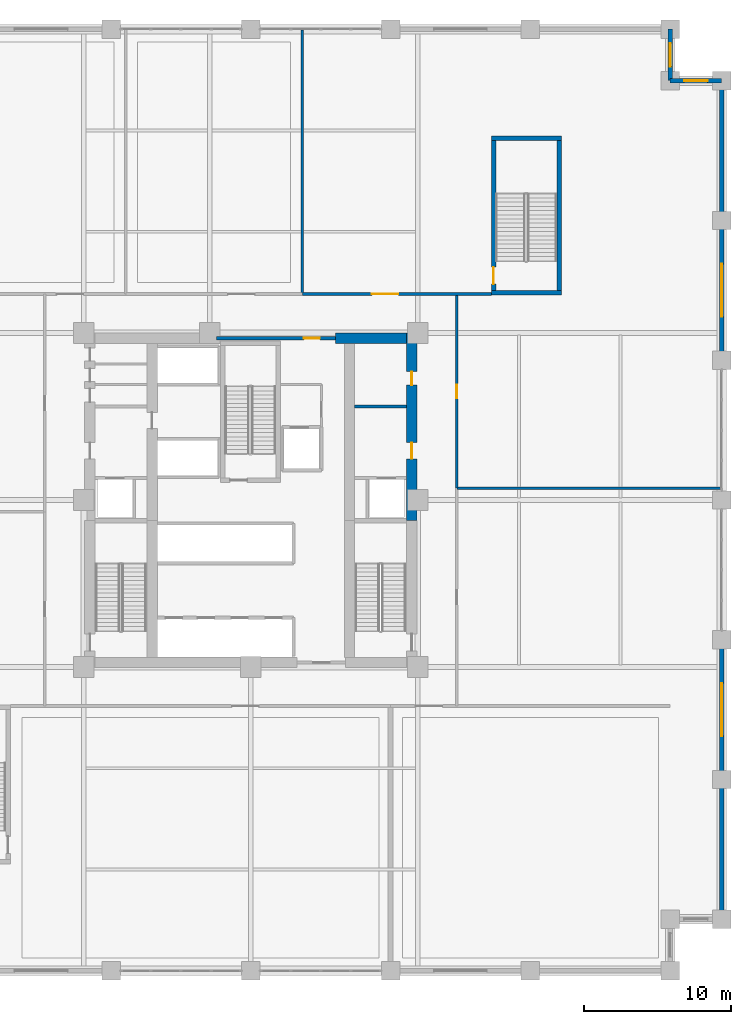
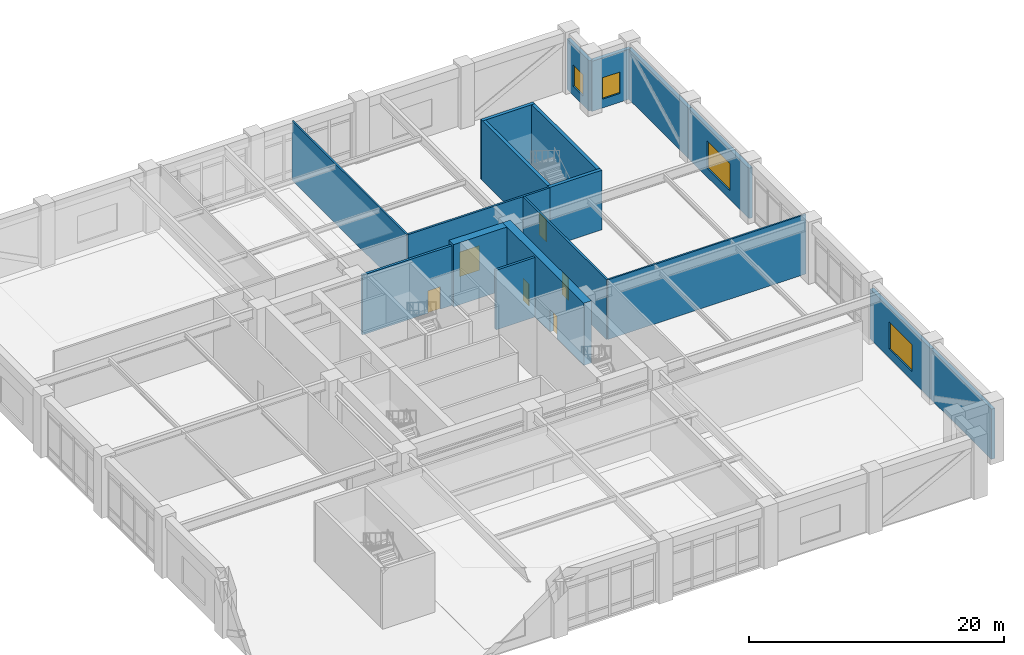
# One storey, part 14 of 21: 18 walls, 6 doors, 4 windows, 10 openings.
"""IFC4 building model written with IfcOpenShell, lengths in metres."""

import ifcopenshell
import ifcopenshell.guid

model = None  # the IFC model being written
_history = None  # IfcOwnerHistory: only IFC2X3 demands one
_inside = {}  # id of a spatial element -> (the spatial element, [elements in it])
_under = {}  # id of a project, library or spatial element -> (it, [spatial elements below it])
_declared = {}  # id of a project -> (the project, [libraries it declares])
_typed = {}  # id of a type object -> (the type object, [elements of that type])
_made_of = {}  # id of a material, layer set ... -> (it, [elements and type objects made of it])


def new_model(schema):
    """Start an empty IFC model of exactly this schema.

    Asked for "IFC4X3", IfcOpenShell would pick the latest addendum, in which some entities
    have other attributes; the version numbers below select the first issue.
    IFC2X3 requires an IfcOwnerHistory on every rooted entity: one is made here for all.
    """
    global model, _history
    if schema == "IFC4X3":
        model = ifcopenshell.file(schema_version=(4, 3, 0, 0))
    else:
        model = ifcopenshell.file(schema=schema)
    _inside.clear()
    _under.clear()
    _declared.clear()
    _typed.clear()
    _made_of.clear()
    _history = None
    if model.schema == "IFC2X3":
        org = make("IfcOrganization", Name="unknown")
        user = make(
            "IfcPersonAndOrganization",
            ThePerson=make("IfcPerson", FamilyName="unknown"),
            TheOrganization=org,
        )
        app = make(
            "IfcApplication",
            ApplicationDeveloper=org,
            Version="unknown",
            ApplicationFullName="unknown",
            ApplicationIdentifier="unknown",
        )
        _history = make(
            "IfcOwnerHistory",
            OwningUser=user,
            OwningApplication=app,
            ChangeAction="ADDED",
            CreationDate=0,
        )
    return model


def make(cls, **values):
    """One entity of the class cls with the attributes given. An attribute that is None is left unset."""
    return model.create_entity(
        cls, **{name: value for name, value in values.items() if value is not None}
    )


def rooted(cls, **values):
    """An entity with a GlobalId (a new one), such as an element, a storey or a relation."""
    return make(cls, GlobalId=ifcopenshell.guid.new(), OwnerHistory=_history, **values)


def si_unit(unit_type, name, prefix=None):
    """IfcSIUnit, for example si_unit("LENGTHUNIT", "METRE", prefix="MILLI")."""
    return make("IfcSIUnit", UnitType=unit_type, Prefix=prefix, Name=name)


def assignment(units):
    """IfcUnitAssignment: the units of a project."""
    return None if units is None else make("IfcUnitAssignment", Units=units)


def point(xyz):
    """IfcCartesianPoint."""
    return None if xyz is None else make("IfcCartesianPoint", Coordinates=xyz)


def direction(xyz):
    """IfcDirection."""
    return None if xyz is None else make("IfcDirection", DirectionRatios=xyz)


def frame(location, z_axis=None, x_axis=None):
    """IfcAxis2Placement3D, a coordinate frame: its origin and axes. An axis left out is left unset."""
    return make(
        "IfcAxis2Placement3D",
        Location=point(location),
        Axis=direction(z_axis),
        RefDirection=direction(x_axis),
    )


def frame_2d(location, x_axis=None):
    """IfcAxis2Placement2D, a coordinate frame in the plane: its origin and x axis."""
    return make(
        "IfcAxis2Placement2D", Location=point(location), RefDirection=direction(x_axis)
    )


def origin():
    """The frame at (0, 0, 0) with its axes left unset."""
    return frame((0.0, 0.0, 0.0))


def place(relative_to, where):
    """IfcLocalPlacement: puts the frame where relative to a parent placement (None: the world)."""
    return make(
        "IfcLocalPlacement", PlacementRelTo=relative_to, RelativePlacement=where
    )


def context(
    kind, dimensions, precision=None, world=None, true_north=None, identifier=None
):
    """IfcGeometricRepresentationContext, for example the 3D "Model" context."""
    return make(
        "IfcGeometricRepresentationContext",
        ContextIdentifier=identifier,
        ContextType=kind,
        CoordinateSpaceDimension=dimensions,
        Precision=precision,
        WorldCoordinateSystem=world,
        TrueNorth=true_north,
    )


def subcontext(parent, identifier, kind, view, scale=None):
    """IfcGeometricRepresentationSubContext, for example "Body" below "Model"."""
    return make(
        "IfcGeometricRepresentationSubContext",
        ContextIdentifier=identifier,
        ContextType=kind,
        ParentContext=parent,
        TargetScale=scale,
        TargetView=view,
    )


def project(units=None, contexts=None):
    """IfcProject with its units and contexts."""
    return rooted(
        "IfcProject",
        Name="project",
        RepresentationContexts=contexts,
        UnitsInContext=assignment(units),
    )


def spatial(cls, under=None, at=None, **own):
    """A site, building, storey or space (cls), placed at a placement, below another one or the project."""
    s = rooted(cls, ObjectPlacement=at, **own)
    if under is not None:
        _under.setdefault(under.id(), (under, []))[1].append(s)
    return s


def profile(cls, at=None, kind="AREA", **sizes):
    """A parametric profile (cls). Its sizes go by their IFC names, for example OverallWidth=200.0."""
    return make(cls, ProfileType=kind, Position=at, **sizes)


def rectangle(**sizes):
    """IfcRectangleProfileDef."""
    return profile("IfcRectangleProfileDef", **sizes)


def extrude(swept, where, along, depth):
    """IfcExtrudedAreaSolid: the profile swept, set in the frame where, extruded along a direction by depth."""
    return make(
        "IfcExtrudedAreaSolid",
        SweptArea=swept,
        Position=where,
        ExtrudedDirection=direction(along),
        Depth=depth,
    )


def shape(context_of_items, identifier, shape_type, items):
    """IfcShapeRepresentation: the items that make up one representation, for example the "Body"."""
    return make(
        "IfcShapeRepresentation",
        ContextOfItems=context_of_items,
        RepresentationIdentifier=identifier,
        RepresentationType=shape_type,
        Items=items,
    )


def material(Name=None, Category=None):
    """IfcMaterial."""
    return make("IfcMaterial", Name=Name, Category=Category)


def layer(
    of_material, thickness, ventilated=None, Name=None, Category=None, Priority=None
):
    """IfcMaterialLayer: one layer of a wall or slab, of a material (None: an air gap)."""
    return make(
        "IfcMaterialLayer",
        Material=of_material,
        LayerThickness=thickness,
        IsVentilated=ventilated,
        Name=Name,
        Category=Category,
        Priority=Priority,
    )


def layer_set(layers, Name=None):
    """IfcMaterialLayerSet."""
    return make("IfcMaterialLayerSet", MaterialLayers=layers, LayerSetName=Name)


def made_of(thing, what):
    """Note that an element or type object is made of a material, layer set ...; save() writes the relation."""
    if what is not None:
        _made_of.setdefault(what.id(), (what, []))[1].append(thing)
    return thing


def type_object(cls, material=None, **own):
    """A type object (cls), such as IfcWallType, which elements share."""
    return made_of(rooted(cls, **own), material)


def element(
    cls,
    number,
    at=None,
    inside=None,
    cuts=None,
    type_object=None,
    material=None,
    context=None,
    identifier="Body",
    shape_type=None,
    held_by="IfcProductDefinitionShape",
    body=None,
    shapes=None,
    **own,
):
    """One element of the class cls, such as IfcWall. Its Tag is "e" and its number.

    at: its placement. inside: the storey or other place that contains it. cuts: it is an
    opening in that element (IfcRelVoidsElement). A single representation is given by context,
    identifier, shape_type and body (its items); several are given by shapes. held_by: the class
    of the entity that holds the representations. save() writes the other relations.
    """
    e = rooted(cls, Tag="e%d" % number, ObjectPlacement=at, **own)
    if body is not None:
        shapes = [shape(context, identifier, shape_type, body)]
    if shapes is not None:
        e.Representation = make(held_by, Representations=shapes)
    if inside is not None:
        _inside.setdefault(inside.id(), (inside, []))[1].append(e)
    if cuts is not None:
        rooted(
            "IfcRelVoidsElement", RelatingBuildingElement=cuts, RelatedOpeningElement=e
        )
    if type_object is not None:
        _typed.setdefault(type_object.id(), (type_object, []))[1].append(e)
    return made_of(e, material)


def fill(opening, filler):
    """IfcRelFillsElement: the door or window that sits in an opening."""
    return rooted(
        "IfcRelFillsElement",
        RelatingOpeningElement=opening,
        RelatedBuildingElement=filler,
    )


def aggregate(whole, parts):
    """IfcRelAggregates: a whole, such as a stair, and the parts it consists of."""
    return rooted("IfcRelAggregates", RelatingObject=whole, RelatedObjects=parts)


def save(model, path):
    """Write the relations noted so far, then the file.

    IfcRelAggregates (storeys below a building ...), IfcRelContainedInSpatialStructure (elements
    in a storey), IfcRelDefinesByType, IfcRelAssociatesMaterial and IfcRelDeclares: one each for
    every whole, place, type object, material and project.
    """
    for whole, parts in _under.values():
        aggregate(whole, parts)
    for where, things in _inside.values():
        rooted(
            "IfcRelContainedInSpatialStructure",
            RelatedElements=things,
            RelatingStructure=where,
        )
    for kind, things in _typed.values():
        rooted("IfcRelDefinesByType", RelatedObjects=things, RelatingType=kind)
    for what, things in _made_of.values():
        rooted("IfcRelAssociatesMaterial", RelatedObjects=things, RelatingMaterial=what)
    for by, libraries in _declared.values():
        rooted("IfcRelDeclares", RelatingContext=by, RelatedDefinitions=libraries)
    model.write(path)


model = new_model("IFC4")

# Units and contexts
model_context = context("Model", 3, precision=1e-05, world=origin(), true_north=direction((0.0, 1.0)))
body_context = subcontext(model_context, "Body", "Model", "MODEL_VIEW")
ifc_project = project(units=[si_unit("LENGTHUNIT", "METRE"), si_unit("AREAUNIT", "SQUARE_METRE"), si_unit("VOLUMEUNIT", "CUBIC_METRE"), si_unit("PLANEANGLEUNIT", "RADIAN"), si_unit("MASSUNIT", "GRAM", prefix="KILO")], contexts=[model_context])

# Site, building, storey
site_placement = place(None, origin())
site = spatial("IfcSite", under=ifc_project, at=site_placement, CompositionType="ELEMENT")
building_placement = place(site_placement, origin())
building = spatial("IfcBuilding", under=site, at=building_placement, Name="Nhamokura Convention Tower", CompositionType="ELEMENT")
storey_placement = place(building_placement, frame((0.0, 0.0, 17.85009765625)))
storey = spatial("IfcBuildingStorey", under=building, at=storey_placement, Name="L03", CompositionType="ELEMENT", Elevation=17.85009765625)

# Wall
ifc_material_1 = material(Name="Bronze-pigmented precast concrete C45/55", Category="concrete")
ifc_layer_1 = layer(ifc_material_1, 0.320068359375)
ifc_layer_set_1 = layer_set([ifc_layer_1], Name="BronzePrecastSpandrel_320")
wall_type_1 = type_object("IfcWallType", Name="BronzePrecastSpandrel_320", PredefinedType="USERDEFINED", material=ifc_layer_set_1)
wall_1_placement = place(storey_placement, frame((64.0, 13.0, 0.0), z_axis=(0.0, 0.0, 1.0), x_axis=(0.0, -1.0, 0.0)))
element("IfcWall", 1, at=wall_1_placement, inside=storey, type_object=wall_type_1, Name="L03 Braced-Bay Precast Wall EAST 0", ObjectType="SPANDREL_WALL", PredefinedType="USERDEFINED", context=body_context, shape_type="SweptSolid", body=[
    extrude(rectangle(XDim=9.5, YDim=0.320068359375, at=frame_2d((4.75, 0.0))), origin(), (0.0, 0.0, 1.0), 4.809814453125),
])

# Wall, opening, window
wall_2_placement = place(storey_placement, frame((64.0, 22.5, 0.0), z_axis=(0.0, 0.0, 1.0), x_axis=(0.0, -1.0, 0.0)))
wall_2 = element("IfcWall", 2, at=wall_2_placement, inside=storey, type_object=wall_type_1, Name="L03 Masonry-Frame Wall EAST 1", ObjectType="SPANDREL_WALL", PredefinedType="USERDEFINED", context=body_context, shape_type="SweptSolid", body=[
    extrude(rectangle(XDim=9.5, YDim=0.320068359375, at=frame_2d((4.75, 0.0))), origin(), (0.0, 0.0, 1.0), 4.809814453125),
])
opening_1_placement = place(wall_2_placement, frame((2.949951171875, 0.0, 0.85009765625)))
opening_1 = element("IfcOpeningElement", 3, at=opening_1_placement, cuts=wall_2, Name="Opening W-01", PredefinedType="OPENING", context=body_context, shape_type="SweptSolid", body=[
    extrude(rectangle(XDim=3.60009765625, YDim=2.60009765625, at=frame_2d((1.800048828125, 1.300048828125))), frame((0.0, 0.169921875, 0.0), z_axis=(0.0, -1.0, 0.0), x_axis=(1.0, 0.0, 0.0)), (0.0, 0.0, 1.0), 0.340087890625),
])
ifc_material_2 = material(Name="Solar-control bronze low-E double glass", Category="glass")
window_type_1 = type_object("IfcWindowType", Name="PodiumClerestoryWindow_3600", PartitioningType="TRIPLE_PANEL_VERTICAL", PredefinedType="WINDOW", material=ifc_material_2)
window_1_placement = place(opening_1_placement, origin())
window_1 = element("IfcWindow", 4, at=window_1_placement, inside=storey, type_object=window_type_1, Name="L03 Facade Window EAST 1", OverallHeight=2.60009765625, OverallWidth=3.60009765625, PartitioningType="SINGLE_PANEL", PredefinedType="WINDOW", context=body_context, shape_type="SweptSolid", body=[
    extrude(rectangle(XDim=3.60009765625, YDim=2.60009765625, at=frame_2d((1.800048828125, 1.300048828125))), frame((0.0, 0.030029296875, 0.0), z_axis=(0.0, -1.0, 0.0), x_axis=(1.0, 0.0, 0.0)), (0.0, 0.0, 1.0), 0.06005859375),
])
fill(opening_1, window_1)

wall_3_placement = place(storey_placement, frame((64.0, 51.0, 0.0), z_axis=(0.0, 0.0, 1.0), x_axis=(0.0, -1.0, 0.0)))
wall_3 = element("IfcWall", 5, at=wall_3_placement, inside=storey, type_object=wall_type_1, Name="L03 Masonry-Frame Wall EAST 4", ObjectType="SPANDREL_WALL", PredefinedType="USERDEFINED", context=body_context, shape_type="SweptSolid", body=[
    extrude(rectangle(XDim=9.5, YDim=0.320068359375, at=frame_2d((4.75, 0.0))), origin(), (0.0, 0.0, 1.0), 4.809814453125),
])
opening_2_placement = place(wall_3_placement, frame((2.949951171875, 0.0, 0.85009765625)))
opening_2 = element("IfcOpeningElement", 6, at=opening_2_placement, cuts=wall_3, Name="Opening W-01", PredefinedType="OPENING", context=body_context, shape_type="SweptSolid", body=[
    extrude(rectangle(XDim=3.60009765625, YDim=2.60009765625, at=frame_2d((1.800048828125, 1.300048828125))), frame((0.0, 0.169921875, 0.0), z_axis=(0.0, -1.0, 0.0), x_axis=(1.0, 0.0, 0.0)), (0.0, 0.0, 1.0), 0.340087890625),
])
window_2_placement = place(opening_2_placement, origin())
window_2 = element("IfcWindow", 7, at=window_2_placement, inside=storey, type_object=window_type_1, Name="L03 Facade Window EAST 4", OverallHeight=2.60009765625, OverallWidth=3.60009765625, PartitioningType="SINGLE_PANEL", PredefinedType="WINDOW", context=body_context, shape_type="SweptSolid", body=[
    extrude(rectangle(XDim=3.60009765625, YDim=2.60009765625, at=frame_2d((1.800048828125, 1.300048828125))), frame((0.0, 0.030029296875, 0.0), z_axis=(0.0, -1.0, 0.0), x_axis=(1.0, 0.0, 0.0)), (0.0, 0.0, 1.0), 0.06005859375),
])
fill(opening_2, window_2)

# Wall
wall_4_placement = place(storey_placement, frame((64.0, 60.5, 0.0), z_axis=(0.0, 0.0, 1.0), x_axis=(0.0, -1.0, 0.0)))
element("IfcWall", 8, at=wall_4_placement, inside=storey, type_object=wall_type_1, Name="L03 Braced-Bay Precast Wall EAST 5", ObjectType="SPANDREL_WALL", PredefinedType="USERDEFINED", context=body_context, shape_type="SweptSolid", body=[
    extrude(rectangle(XDim=9.5, YDim=0.320068359375, at=frame_2d((4.75, 0.0))), origin(), (0.0, 0.0, 1.0), 4.809814453125),
])

# Wall, opening, window
wall_5_placement = place(storey_placement, frame((60.5, 60.5, 0.0), z_axis=(0.0, 0.0, 1.0), x_axis=(1.0, 0.0, 0.0)))
wall_5 = element("IfcWall", 9, at=wall_5_placement, inside=storey, type_object=wall_type_1, Name="L03 Notched Corner Wall NE1", ObjectType="SPANDREL_WALL", PredefinedType="USERDEFINED", context=body_context, shape_type="SweptSolid", body=[
    extrude(rectangle(XDim=3.5, YDim=0.320068359375, at=frame_2d((1.75, 0.0))), origin(), (0.0, 0.0, 1.0), 4.809814453125),
])
opening_3_placement = place(wall_5_placement, frame((0.949951171875, 0.0, 0.85009765625)))
opening_3 = element("IfcOpeningElement", 10, at=opening_3_placement, cuts=wall_5, Name="Opening W-11", PredefinedType="OPENING", context=body_context, shape_type="SweptSolid", body=[
    extrude(rectangle(XDim=1.60009765625, YDim=2.050048828125, at=frame_2d((0.800048828125, 1.02490234375))), frame((0.0, 0.169921875, 0.0), z_axis=(0.0, -1.0, 0.0), x_axis=(1.0, 0.0, 0.0)), (0.0, 0.0, 1.0), 0.340087890625),
])
ifc_material_3 = material(Name="Solar-control bronze low-E double glass", Category="glass")
window_type_2 = type_object("IfcWindowType", Name="NotchCornerWindow_1600", PartitioningType="SINGLE_PANEL", PredefinedType="WINDOW", material=ifc_material_3)
window_3_placement = place(opening_3_placement, origin())
window_3 = element("IfcWindow", 11, at=window_3_placement, inside=storey, type_object=window_type_2, Name="L03 Notched Corner Window NE1", OverallHeight=2.050048828125, OverallWidth=1.60009765625, PartitioningType="SINGLE_PANEL", PredefinedType="WINDOW", context=body_context, shape_type="SweptSolid", body=[
    extrude(rectangle(XDim=1.60009765625, YDim=2.050048828125, at=frame_2d((0.800048828125, 1.02490234375))), frame((0.0, 0.030029296875, 0.0), z_axis=(0.0, -1.0, 0.0), x_axis=(1.0, 0.0, 0.0)), (0.0, 0.0, 1.0), 0.06005859375),
])
fill(opening_3, window_3)

wall_6_placement = place(storey_placement, frame((60.5, 64.0, 0.0), z_axis=(0.0, 0.0, 1.0), x_axis=(0.0, -1.0, 0.0)))
wall_6 = element("IfcWall", 12, at=wall_6_placement, inside=storey, type_object=wall_type_1, Name="L03 Notched Corner Wall NE2", ObjectType="SPANDREL_WALL", PredefinedType="USERDEFINED", context=body_context, shape_type="SweptSolid", body=[
    extrude(rectangle(XDim=3.5, YDim=0.320068359375, at=frame_2d((1.75, 0.0))), origin(), (0.0, 0.0, 1.0), 4.809814453125),
])
opening_4_placement = place(wall_6_placement, frame((0.949951171875, 0.0, 0.85009765625)))
opening_4 = element("IfcOpeningElement", 13, at=opening_4_placement, cuts=wall_6, Name="Opening W-11", PredefinedType="OPENING", context=body_context, shape_type="SweptSolid", body=[
    extrude(rectangle(XDim=1.60009765625, YDim=2.050048828125, at=frame_2d((0.800048828125, 1.02490234375))), frame((0.0, 0.169921875, 0.0), z_axis=(0.0, -1.0, 0.0), x_axis=(1.0, 0.0, 0.0)), (0.0, 0.0, 1.0), 0.340087890625),
])
window_4_placement = place(opening_4_placement, origin())
window_4 = element("IfcWindow", 14, at=window_4_placement, inside=storey, type_object=window_type_2, Name="L03 Notched Corner Window NE2", OverallHeight=2.050048828125, OverallWidth=1.60009765625, PartitioningType="SINGLE_PANEL", PredefinedType="WINDOW", context=body_context, shape_type="SweptSolid", body=[
    extrude(rectangle(XDim=1.60009765625, YDim=2.050048828125, at=frame_2d((0.800048828125, 1.02490234375))), frame((0.0, 0.030029296875, 0.0), z_axis=(0.0, -1.0, 0.0), x_axis=(1.0, 0.0, 0.0)), (0.0, 0.0, 1.0), 0.06005859375),
])
fill(opening_4, window_4)

# Wall, openings, doors
ifc_material_4 = material(Name="Concrete C70/85", Category="concrete")
ifc_layer_2 = layer(ifc_material_4, 0.699951171875)
ifc_layer_set_2 = layer_set([ifc_layer_2], Name="CoreShearWall_700")
wall_type_2 = type_object("IfcWallType", Name="CoreShearWall_700", PredefinedType="SHEAR", material=ifc_layer_set_2)
wall_7_placement = place(storey_placement, frame((42.93994140625, 30.60009765625, 0.0), z_axis=(0.0, 0.0, 1.0), x_axis=(0.0, 1.0, 0.0)))
wall_7 = element("IfcWall", 15, at=wall_7_placement, inside=storey, type_object=wall_type_2, Name="L03 Core Shear Wall CW-EN", PredefinedType="SHEAR", context=body_context, shape_type="SweptSolid", body=[
    extrude(rectangle(XDim=12.75, YDim=0.699951171875, at=frame_2d((6.375, 0.0))), origin(), (0.0, 0.0, 1.0), 5.949951171875),
])
opening_5_placement = place(wall_7_placement, frame((4.199951171875, 0.0, 0.0)))
opening_5 = element("IfcOpeningElement", 16, at=opening_5_placement, cuts=wall_7, Name="Opening D-05", PredefinedType="OPENING", context=body_context, shape_type="SweptSolid", body=[
    extrude(rectangle(XDim=1.10009765625, YDim=2.14990234375, at=frame_2d((0.550048828125, 1.074951171875))), frame((0.0, 0.35986328125, 0.0), z_axis=(0.0, -1.0, 0.0), x_axis=(1.0, 0.0, 0.0)), (0.0, 0.0, 1.0), 0.719970703125),
])
opening_6_placement = place(wall_7_placement, frame((9.199951171875, 0.0, 0.0)))
opening_6 = element("IfcOpeningElement", 17, at=opening_6_placement, cuts=wall_7, Name="Opening D-10", PredefinedType="OPENING", context=body_context, shape_type="SweptSolid", body=[
    extrude(rectangle(XDim=0.919921875, YDim=2.10009765625, at=frame_2d((0.4599609375, 1.050048828125))), frame((0.0, 0.35986328125, 0.0), z_axis=(0.0, -1.0, 0.0), x_axis=(1.0, 0.0, 0.0)), (0.0, 0.0, 1.0), 0.719970703125),
])
ifc_material_5 = material(Name="Solid oak hardwood", Category="wood")
door_type_1 = type_object("IfcDoorType", Name="AccessibleWCDoor_920", OperationType="NOTDEFINED", PredefinedType="DOOR", material=ifc_material_5)
door_1_placement = place(opening_6_placement, origin())
door_1 = element("IfcDoor", 18, at=door_1_placement, inside=storey, type_object=door_type_1, Name="L03 Core Door INT-L03-D-UWC", OperationType="SINGLE_SWING_RIGHT", OverallHeight=2.10009765625, OverallWidth=0.919921875, PredefinedType="DOOR", context=body_context, shape_type="SweptSolid", body=[
    extrude(rectangle(XDim=0.919921875, YDim=2.10009765625, at=frame_2d((0.4599609375, 1.050048828125))), frame((0.0, 0.02490234375, 0.0), z_axis=(0.0, -1.0, 0.0), x_axis=(1.0, 0.0, 0.0)), (0.0, 0.0, 1.0), 0.050048828125),
])
fill(opening_6, door_1)
ifc_material_6 = material(Name="Fire-rated steel door", Category="steel")
door_type_2 = type_object("IfcDoorType", Name="FireLobbyDoor_1100", OperationType="NOTDEFINED", PredefinedType="DOOR", material=ifc_material_6)
door_2_placement = place(opening_5_placement, origin())
door_2 = element("IfcDoor", 19, at=door_2_placement, inside=storey, type_object=door_type_2, Name="L03 Core Door INT-L03-D-FFLE", OperationType="SINGLE_SWING_LEFT", OverallHeight=2.14990234375, OverallWidth=1.10009765625, PredefinedType="DOOR", context=body_context, shape_type="SweptSolid", body=[
    extrude(rectangle(XDim=1.10009765625, YDim=2.14990234375, at=frame_2d((0.550048828125, 1.074951171875))), frame((0.0, 0.02490234375, 0.0), z_axis=(0.0, -1.0, 0.0), x_axis=(1.0, 0.0, 0.0)), (0.0, 0.0, 1.0), 0.050048828125),
])
fill(opening_5, door_2)

# Wall
wall_8_placement = place(storey_placement, frame((37.75, 43.0, 0.0), z_axis=(0.0, 0.0, 1.0), x_axis=(1.0, 0.0, 0.0)))
element("IfcWall", 20, at=wall_8_placement, inside=storey, type_object=wall_type_2, Name="L03 Core Shear Wall CW-N2", PredefinedType="SHEAR", context=body_context, shape_type="SweptSolid", body=[
    extrude(rectangle(XDim=4.840087890625, YDim=0.699951171875, at=frame_2d((2.419921875, 0.0))), origin(), (0.0, 0.0, 1.0), 5.949951171875),
])

# Wall, opening, door
ifc_material_7 = material(Name="Fire-rated gypsum and masonry partition", Category="masonry")
ifc_layer_3 = layer(ifc_material_7, 0.179931640625)
ifc_layer_set_3 = layer_set([ifc_layer_3], Name="CorridorRatedWall_180")
wall_type_3 = type_object("IfcWallType", Name="CorridorRatedWall_180", PredefinedType="STANDARD", material=ifc_layer_set_3)
wall_9_placement = place(storey_placement, frame((35.5, 46.0, 0.0), z_axis=(0.0, 0.0, 1.0), x_axis=(1.0, 0.0, 0.0)))
wall_9 = element("IfcWall", 21, at=wall_9_placement, inside=storey, type_object=wall_type_3, Name="L03 Wall INT-L03-CW-N02", PredefinedType="STANDARD", context=body_context, shape_type="SweptSolid", body=[
    extrude(rectangle(XDim=12.85009765625, YDim=0.179931640625, at=frame_2d((6.425048828125, 0.0))), origin(), (0.0, 0.0, 1.0), 5.7099609375),
])
opening_7_placement = place(wall_9_placement, frame((4.72509765625, 0.0, 0.0)))
opening_7 = element("IfcOpeningElement", 22, at=opening_7_placement, cuts=wall_9, Name="Opening D-03", PredefinedType="OPENING", context=body_context, shape_type="SweptSolid", body=[
    extrude(rectangle(XDim=1.800048828125, YDim=2.35009765625, at=frame_2d((0.89990234375, 1.175048828125))), frame((0.0, 0.099853515625, 0.0), z_axis=(0.0, -1.0, 0.0), x_axis=(1.0, 0.0, 0.0)), (0.0, 0.0, 1.0), 0.199951171875),
])
ifc_material_8 = material(Name="Solid oak hardwood", Category="wood")
door_type_3 = type_object("IfcDoorType", Name="BallroomDoubleDoor_1800", OperationType="DOUBLE_DOOR_SINGLE_SWING", PredefinedType="DOOR", material=ifc_material_8)
door_3_placement = place(opening_7_placement, origin())
door_3 = element("IfcDoor", 23, at=door_3_placement, inside=storey, type_object=door_type_3, Name="L03 VIP Speaker Lounge N03 Door", OperationType="SINGLE_SWING_LEFT", OverallHeight=2.35009765625, OverallWidth=1.800048828125, PredefinedType="DOOR", context=body_context, shape_type="SweptSolid", body=[
    extrude(rectangle(XDim=1.800048828125, YDim=2.35009765625, at=frame_2d((0.89990234375, 1.175048828125))), frame((0.0, 0.02490234375, 0.0), z_axis=(0.0, -1.0, 0.0), x_axis=(1.0, 0.0, 0.0)), (0.0, 0.0, 1.0), 0.050048828125),
])
fill(opening_7, door_3)

wall_10_placement = place(storey_placement, frame((46.0, 32.800048828125, 0.0), z_axis=(0.0, 0.0, 1.0), x_axis=(0.0, 1.0, 0.0)))
wall_10 = element("IfcWall", 24, at=wall_10_placement, inside=storey, type_object=wall_type_3, Name="L03 Wall INT-L03-CW-E01", PredefinedType="STANDARD", context=body_context, shape_type="SweptSolid", body=[
    extrude(rectangle(XDim=13.199951171875, YDim=0.179931640625, at=frame_2d((6.60009765625, 0.0))), origin(), (0.0, 0.0, 1.0), 5.7099609375),
])
opening_8_placement = place(wall_10_placement, frame((6.10009765625, 0.0, 0.0)))
opening_8 = element("IfcOpeningElement", 25, at=opening_8_placement, cuts=wall_10, Name="Opening D-09", PredefinedType="OPENING", context=body_context, shape_type="SweptSolid", body=[
    extrude(rectangle(XDim=0.949951171875, YDim=2.14990234375, at=frame_2d((0.47509765625, 1.074951171875))), frame((0.0, 0.099853515625, 0.0), z_axis=(0.0, -1.0, 0.0), x_axis=(1.0, 0.0, 0.0)), (0.0, 0.0, 1.0), 0.199951171875),
])
ifc_material_9 = material(Name="Solid oak hardwood", Category="wood")
door_type_4 = type_object("IfcDoorType", Name="MeetingRoomDoor_950", OperationType="NOTDEFINED", PredefinedType="DOOR", material=ifc_material_9)
door_4_placement = place(opening_8_placement, origin())
door_4 = element("IfcDoor", 26, at=door_4_placement, inside=storey, type_object=door_type_4, Name="L03 Private Office E02 Door", OperationType="SINGLE_SWING_RIGHT", OverallHeight=2.14990234375, OverallWidth=0.949951171875, PredefinedType="DOOR", context=body_context, shape_type="SweptSolid", body=[
    extrude(rectangle(XDim=0.949951171875, YDim=2.14990234375, at=frame_2d((0.47509765625, 1.074951171875))), frame((0.0, 0.02490234375, 0.0), z_axis=(0.0, -1.0, 0.0), x_axis=(1.0, 0.0, 0.0)), (0.0, 0.0, 1.0), 0.050048828125),
])
fill(opening_8, door_4)

# Wall
ifc_material_10 = material(Name="Autoclaved concrete blockwork", Category="masonry")
ifc_layer_4 = layer(ifc_material_10, 0.219970703125)
ifc_layer_set_4 = layer_set([ifc_layer_4], Name="FireLobbyWall_220")
wall_type_4 = type_object("IfcWallType", Name="FireLobbyWall_220", PredefinedType="STANDARD", material=ifc_layer_set_4)
wall_11_placement = place(storey_placement, frame((39.06005859375, 38.35009765625, 0.0), z_axis=(0.0, 0.0, 1.0), x_axis=(1.0, 0.0, 0.0)))
element("IfcWall", 27, at=wall_11_placement, inside=storey, type_object=wall_type_4, Name="L03 Wall INT-L03-FFE-N", PredefinedType="STANDARD", context=body_context, shape_type="SweptSolid", body=[
    extrude(rectangle(XDim=3.530029296875, YDim=0.219970703125, at=frame_2d((1.76513671875, 0.0))), origin(), (0.0, 0.0, 1.0), 5.7099609375),
])

# Wall, opening, door
wall_12_placement = place(storey_placement, frame((29.64990234375, 43.0, 0.0), z_axis=(0.0, 0.0, 1.0), x_axis=(1.0, 0.0, 0.0)))
wall_12 = element("IfcWall", 28, at=wall_12_placement, inside=storey, type_object=wall_type_4, Name="L03 Wall INT-L03-CPORT-N", PredefinedType="STANDARD", context=body_context, shape_type="SweptSolid", body=[
    extrude(rectangle(XDim=8.10009765625, YDim=0.219970703125, at=frame_2d((4.050048828125, 0.0))), origin(), (0.0, 0.0, 1.0), 5.7099609375),
])
opening_9_placement = place(wall_12_placement, frame((5.949951171875, 0.0, 0.0)))
opening_9 = element("IfcOpeningElement", 29, at=opening_9_placement, cuts=wall_12, Name="Opening D-05", PredefinedType="OPENING", context=body_context, shape_type="SweptSolid", body=[
    extrude(rectangle(XDim=1.10009765625, YDim=2.14990234375, at=frame_2d((0.550048828125, 1.074951171875))), frame((0.0, 0.119873046875, 0.0), z_axis=(0.0, -1.0, 0.0), x_axis=(1.0, 0.0, 0.0)), (0.0, 0.0, 1.0), 0.239990234375),
])
door_5_placement = place(opening_9_placement, origin())
door_5 = element("IfcDoor", 30, at=door_5_placement, inside=storey, type_object=door_type_2, Name="L03 North Core Lobby Portal Door", OperationType="SINGLE_SWING_RIGHT", OverallHeight=2.14990234375, OverallWidth=1.10009765625, PredefinedType="DOOR", context=body_context, shape_type="SweptSolid", body=[
    extrude(rectangle(XDim=1.10009765625, YDim=2.14990234375, at=frame_2d((0.550048828125, 1.074951171875))), frame((0.0, 0.02490234375, 0.0), z_axis=(0.0, -1.0, 0.0), x_axis=(1.0, 0.0, 0.0)), (0.0, 0.0, 1.0), 0.050048828125),
])
fill(opening_9, door_5)

# Walls
ifc_material_11 = material(Name="Acoustic gypsum stud partition", Category="masonry")
ifc_layer_5 = layer(ifc_material_11, 0.14990234375)
ifc_layer_set_5 = layer_set([ifc_layer_5], Name="InteriorPartition_150")
wall_type_5 = type_object("IfcWallType", Name="InteriorPartition_150", PredefinedType="STANDARD", material=ifc_layer_set_5)
for number, where, z_axis, x_axis, name in (
    (31, (35.5, 46.0, 0.0), (0.0, 0.0, 1.0), (0.0, 1.0, 0.0), "L03 Wall INT-L03-RW-N02"),
    (32, (46.0, 32.800048828125, 0.0), (0.0, 0.0, 1.0), (1.0, 0.0, 0.0), "L03 Wall INT-L03-RW-E01"),
):
    element("IfcWall", number, at=place(storey_placement, frame(where, z_axis=z_axis, x_axis=x_axis)), inside=storey, type_object=wall_type_5, Name=name, PredefinedType="STANDARD", context=body_context, shape_type="SweptSolid", body=[
        extrude(rectangle(XDim=17.93994140625, YDim=0.14990234375, at=frame_2d((8.969970703125, 0.0))), origin(), (0.0, 0.0, 1.0), 5.7099609375),
    ])

# Wall, opening, door
ifc_material_12 = material(Name="Concrete C50/60", Category="concrete")
ifc_layer_6 = layer(ifc_material_12, 0.300048828125)
ifc_layer_set_6 = layer_set([ifc_layer_6], Name="ShaftEnclosureWall_300")
wall_type_6 = type_object("IfcWallType", Name="ShaftEnclosureWall_300", PredefinedType="SHEAR", material=ifc_layer_set_6)
wall_13_placement = place(storey_placement, frame((48.5, 46.10009765625, 0.0), z_axis=(0.0, 0.0, 1.0), x_axis=(0.0, 1.0, 0.0)))
wall_13 = element("IfcWall", 33, at=wall_13_placement, inside=storey, type_object=wall_type_6, Name="L03 Wall INT-L03-ST05-W", PredefinedType="SHEAR", context=body_context, shape_type="SweptSolid", body=[
    extrude(rectangle(XDim=10.5, YDim=0.300048828125, at=frame_2d((5.25, 0.0))), origin(), (0.0, 0.0, 1.0), 5.7099609375),
])
opening_10_placement = place(wall_13_placement, frame((0.580078125, 0.0, 0.0)))
opening_10 = element("IfcOpeningElement", 34, at=opening_10_placement, cuts=wall_13, Name="Opening D-04", PredefinedType="OPENING", context=body_context, shape_type="SweptSolid", body=[
    extrude(rectangle(XDim=1.14990234375, YDim=2.14990234375, at=frame_2d((0.574951171875, 1.074951171875))), frame((0.0, 0.159912109375, 0.0), z_axis=(0.0, -1.0, 0.0), x_axis=(1.0, 0.0, 0.0)), (0.0, 0.0, 1.0), 0.320068359375),
])
ifc_material_13 = material(Name="Fire-rated steel door", Category="steel")
door_type_5 = type_object("IfcDoorType", Name="StairSmokeDoor_1150", OperationType="NOTDEFINED", PredefinedType="DOOR", material=ifc_material_13)
door_6_placement = place(opening_10_placement, origin())
door_6 = element("IfcDoor", 35, at=door_6_placement, inside=storey, type_object=door_type_5, Name="L03 Stair ST-05 Smoke Door", OperationType="SINGLE_SWING_LEFT", OverallHeight=2.14990234375, OverallWidth=1.14990234375, PredefinedType="DOOR", context=body_context, shape_type="SweptSolid", body=[
    extrude(rectangle(XDim=1.14990234375, YDim=2.14990234375, at=frame_2d((0.574951171875, 1.074951171875))), frame((0.0, 0.02490234375, 0.0), z_axis=(0.0, -1.0, 0.0), x_axis=(1.0, 0.0, 0.0)), (0.0, 0.0, 1.0), 0.050048828125),
])
fill(opening_10, door_6)

# Walls
wall_14_placement = place(storey_placement, frame((52.949951171875, 46.10009765625, 0.0), z_axis=(0.0, 0.0, 1.0), x_axis=(0.0, 1.0, 0.0)))
element("IfcWall", 36, at=wall_14_placement, inside=storey, type_object=wall_type_6, Name="L03 Wall INT-L03-ST05-E", PredefinedType="SHEAR", context=body_context, shape_type="SweptSolid", body=[
    extrude(rectangle(XDim=10.5, YDim=0.300048828125, at=frame_2d((5.25, 0.0))), origin(), (0.0, 0.0, 1.0), 5.7099609375),
])
for number, where, z_axis, x_axis, name in (
    (37, (48.35009765625, 46.10009765625, 0.0), (0.0, 0.0, 1.0), (1.0, 0.0, 0.0), "L03 Wall INT-L03-ST05-S"),
    (38, (48.35009765625, 56.60009765625, 0.0), (0.0, 0.0, 1.0), (1.0, 0.0, 0.0), "L03 Wall INT-L03-ST05-N"),
):
    element("IfcWall", number, at=place(storey_placement, frame(where, z_axis=z_axis, x_axis=x_axis)), inside=storey, type_object=wall_type_6, Name=name, PredefinedType="SHEAR", context=body_context, shape_type="SweptSolid", body=[
        extrude(rectangle(XDim=4.75, YDim=0.300048828125, at=frame_2d((2.375, 0.0))), origin(), (0.0, 0.0, 1.0), 5.7099609375),
    ])

save(model, "model.ifc")
